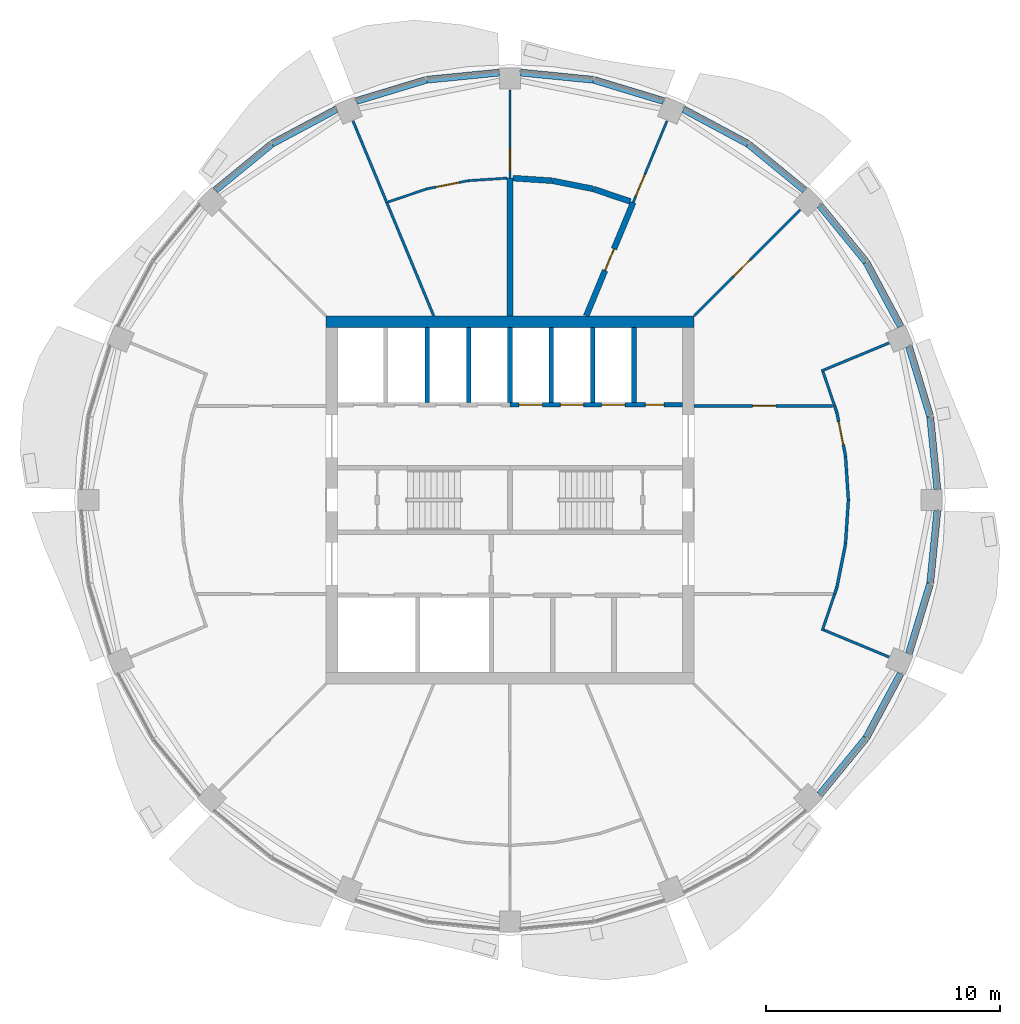
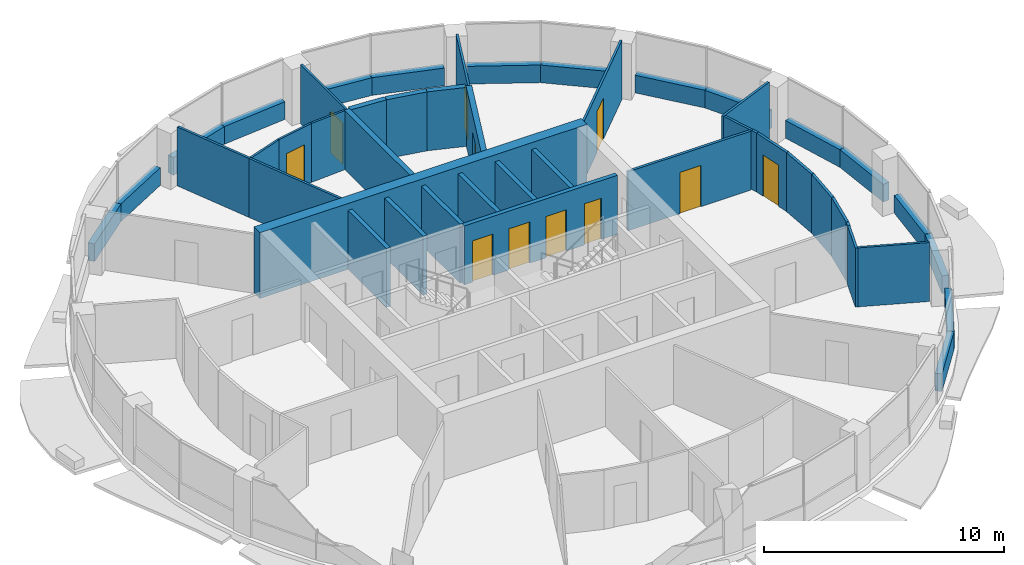
# One storey, part 10 of 15: 48 walls, 11 doors, 11 openings.
"""IFC4 building model written with IfcOpenShell, lengths in metres."""

import ifcopenshell
import ifcopenshell.guid

model = None  # the IFC model being written
_history = None  # IfcOwnerHistory: only IFC2X3 demands one
_inside = {}  # id of a spatial element -> (the spatial element, [elements in it])
_under = {}  # id of a project, library or spatial element -> (it, [spatial elements below it])
_declared = {}  # id of a project -> (the project, [libraries it declares])
_typed = {}  # id of a type object -> (the type object, [elements of that type])
_made_of = {}  # id of a material, layer set ... -> (it, [elements and type objects made of it])


def new_model(schema):
    """Start an empty IFC model of exactly this schema.

    Asked for "IFC4X3", IfcOpenShell would pick the latest addendum, in which some entities
    have other attributes; the version numbers below select the first issue.
    IFC2X3 requires an IfcOwnerHistory on every rooted entity: one is made here for all.
    """
    global model, _history
    if schema == "IFC4X3":
        model = ifcopenshell.file(schema_version=(4, 3, 0, 0))
    else:
        model = ifcopenshell.file(schema=schema)
    _inside.clear()
    _under.clear()
    _declared.clear()
    _typed.clear()
    _made_of.clear()
    _history = None
    if model.schema == "IFC2X3":
        org = make("IfcOrganization", Name="unknown")
        user = make(
            "IfcPersonAndOrganization",
            ThePerson=make("IfcPerson", FamilyName="unknown"),
            TheOrganization=org,
        )
        app = make(
            "IfcApplication",
            ApplicationDeveloper=org,
            Version="unknown",
            ApplicationFullName="unknown",
            ApplicationIdentifier="unknown",
        )
        _history = make(
            "IfcOwnerHistory",
            OwningUser=user,
            OwningApplication=app,
            ChangeAction="ADDED",
            CreationDate=0,
        )
    return model


def make(cls, **values):
    """One entity of the class cls with the attributes given. An attribute that is None is left unset."""
    return model.create_entity(
        cls, **{name: value for name, value in values.items() if value is not None}
    )


def rooted(cls, **values):
    """An entity with a GlobalId (a new one), such as an element, a storey or a relation."""
    return make(cls, GlobalId=ifcopenshell.guid.new(), OwnerHistory=_history, **values)


def si_unit(unit_type, name, prefix=None):
    """IfcSIUnit, for example si_unit("LENGTHUNIT", "METRE", prefix="MILLI")."""
    return make("IfcSIUnit", UnitType=unit_type, Prefix=prefix, Name=name)


def assignment(units):
    """IfcUnitAssignment: the units of a project."""
    return None if units is None else make("IfcUnitAssignment", Units=units)


def point(xyz):
    """IfcCartesianPoint."""
    return None if xyz is None else make("IfcCartesianPoint", Coordinates=xyz)


def direction(xyz):
    """IfcDirection."""
    return None if xyz is None else make("IfcDirection", DirectionRatios=xyz)


def frame(location, z_axis=None, x_axis=None):
    """IfcAxis2Placement3D, a coordinate frame: its origin and axes. An axis left out is left unset."""
    return make(
        "IfcAxis2Placement3D",
        Location=point(location),
        Axis=direction(z_axis),
        RefDirection=direction(x_axis),
    )


def frame_2d(location, x_axis=None):
    """IfcAxis2Placement2D, a coordinate frame in the plane: its origin and x axis."""
    return make(
        "IfcAxis2Placement2D", Location=point(location), RefDirection=direction(x_axis)
    )


def origin():
    """The frame at (0, 0, 0) with its axes left unset."""
    return frame((0.0, 0.0, 0.0))


def place(relative_to, where):
    """IfcLocalPlacement: puts the frame where relative to a parent placement (None: the world)."""
    return make(
        "IfcLocalPlacement", PlacementRelTo=relative_to, RelativePlacement=where
    )


def context(
    kind, dimensions, precision=None, world=None, true_north=None, identifier=None
):
    """IfcGeometricRepresentationContext, for example the 3D "Model" context."""
    return make(
        "IfcGeometricRepresentationContext",
        ContextIdentifier=identifier,
        ContextType=kind,
        CoordinateSpaceDimension=dimensions,
        Precision=precision,
        WorldCoordinateSystem=world,
        TrueNorth=true_north,
    )


def subcontext(parent, identifier, kind, view, scale=None):
    """IfcGeometricRepresentationSubContext, for example "Body" below "Model"."""
    return make(
        "IfcGeometricRepresentationSubContext",
        ContextIdentifier=identifier,
        ContextType=kind,
        ParentContext=parent,
        TargetScale=scale,
        TargetView=view,
    )


def project(units=None, contexts=None):
    """IfcProject with its units and contexts."""
    return rooted(
        "IfcProject",
        Name="project",
        RepresentationContexts=contexts,
        UnitsInContext=assignment(units),
    )


def spatial(cls, under=None, at=None, **own):
    """A site, building, storey or space (cls), placed at a placement, below another one or the project."""
    s = rooted(cls, ObjectPlacement=at, **own)
    if under is not None:
        _under.setdefault(under.id(), (under, []))[1].append(s)
    return s


def profile(cls, at=None, kind="AREA", **sizes):
    """A parametric profile (cls). Its sizes go by their IFC names, for example OverallWidth=200.0."""
    return make(cls, ProfileType=kind, Position=at, **sizes)


def rectangle(**sizes):
    """IfcRectangleProfileDef."""
    return profile("IfcRectangleProfileDef", **sizes)


def extrude(swept, where, along, depth):
    """IfcExtrudedAreaSolid: the profile swept, set in the frame where, extruded along a direction by depth."""
    return make(
        "IfcExtrudedAreaSolid",
        SweptArea=swept,
        Position=where,
        ExtrudedDirection=direction(along),
        Depth=depth,
    )


def shape(context_of_items, identifier, shape_type, items):
    """IfcShapeRepresentation: the items that make up one representation, for example the "Body"."""
    return make(
        "IfcShapeRepresentation",
        ContextOfItems=context_of_items,
        RepresentationIdentifier=identifier,
        RepresentationType=shape_type,
        Items=items,
    )


def material(Name=None, Category=None):
    """IfcMaterial."""
    return make("IfcMaterial", Name=Name, Category=Category)


def layer(
    of_material, thickness, ventilated=None, Name=None, Category=None, Priority=None
):
    """IfcMaterialLayer: one layer of a wall or slab, of a material (None: an air gap)."""
    return make(
        "IfcMaterialLayer",
        Material=of_material,
        LayerThickness=thickness,
        IsVentilated=ventilated,
        Name=Name,
        Category=Category,
        Priority=Priority,
    )


def layer_set(layers, Name=None):
    """IfcMaterialLayerSet."""
    return make("IfcMaterialLayerSet", MaterialLayers=layers, LayerSetName=Name)


def made_of(thing, what):
    """Note that an element or type object is made of a material, layer set ...; save() writes the relation."""
    if what is not None:
        _made_of.setdefault(what.id(), (what, []))[1].append(thing)
    return thing


def type_object(cls, material=None, **own):
    """A type object (cls), such as IfcWallType, which elements share."""
    return made_of(rooted(cls, **own), material)


def element(
    cls,
    number,
    at=None,
    inside=None,
    cuts=None,
    type_object=None,
    material=None,
    context=None,
    identifier="Body",
    shape_type=None,
    held_by="IfcProductDefinitionShape",
    body=None,
    shapes=None,
    **own,
):
    """One element of the class cls, such as IfcWall. Its Tag is "e" and its number.

    at: its placement. inside: the storey or other place that contains it. cuts: it is an
    opening in that element (IfcRelVoidsElement). A single representation is given by context,
    identifier, shape_type and body (its items); several are given by shapes. held_by: the class
    of the entity that holds the representations. save() writes the other relations.
    """
    e = rooted(cls, Tag="e%d" % number, ObjectPlacement=at, **own)
    if body is not None:
        shapes = [shape(context, identifier, shape_type, body)]
    if shapes is not None:
        e.Representation = make(held_by, Representations=shapes)
    if inside is not None:
        _inside.setdefault(inside.id(), (inside, []))[1].append(e)
    if cuts is not None:
        rooted(
            "IfcRelVoidsElement", RelatingBuildingElement=cuts, RelatedOpeningElement=e
        )
    if type_object is not None:
        _typed.setdefault(type_object.id(), (type_object, []))[1].append(e)
    return made_of(e, material)


def fill(opening, filler):
    """IfcRelFillsElement: the door or window that sits in an opening."""
    return rooted(
        "IfcRelFillsElement",
        RelatingOpeningElement=opening,
        RelatedBuildingElement=filler,
    )


def aggregate(whole, parts):
    """IfcRelAggregates: a whole, such as a stair, and the parts it consists of."""
    return rooted("IfcRelAggregates", RelatingObject=whole, RelatedObjects=parts)


def save(model, path):
    """Write the relations noted so far, then the file.

    IfcRelAggregates (storeys below a building ...), IfcRelContainedInSpatialStructure (elements
    in a storey), IfcRelDefinesByType, IfcRelAssociatesMaterial and IfcRelDeclares: one each for
    every whole, place, type object, material and project.
    """
    for whole, parts in _under.values():
        aggregate(whole, parts)
    for where, things in _inside.values():
        rooted(
            "IfcRelContainedInSpatialStructure",
            RelatedElements=things,
            RelatingStructure=where,
        )
    for kind, things in _typed.values():
        rooted("IfcRelDefinesByType", RelatedObjects=things, RelatingType=kind)
    for what, things in _made_of.values():
        rooted("IfcRelAssociatesMaterial", RelatedObjects=things, RelatingMaterial=what)
    for by, libraries in _declared.values():
        rooted("IfcRelDeclares", RelatingContext=by, RelatedDefinitions=libraries)
    model.write(path)


model = new_model("IFC4")

# Units and contexts
model_context = context("Model", 3, precision=1e-05, world=origin(), true_north=direction((0.0, 1.0)))
body_context = subcontext(model_context, "Body", "Model", "MODEL_VIEW")
ifc_project = project(units=[si_unit("LENGTHUNIT", "METRE"), si_unit("AREAUNIT", "SQUARE_METRE"), si_unit("VOLUMEUNIT", "CUBIC_METRE"), si_unit("PLANEANGLEUNIT", "RADIAN"), si_unit("MASSUNIT", "GRAM", prefix="KILO")], contexts=[model_context])

# Site, building, storey
site_placement = place(None, origin())
site = spatial("IfcSite", under=ifc_project, at=site_placement, CompositionType="ELEMENT")
building_placement = place(site_placement, origin())
building = spatial("IfcBuilding", under=site, at=building_placement, Name="Polderwave Tower", CompositionType="ELEMENT")
storey_placement = place(building_placement, frame((0.0, 0.0, 180.949951171875)))
storey = spatial("IfcBuildingStorey", under=building, at=storey_placement, Name="L48", CompositionType="ELEMENT", Elevation=180.949951171875)

# Walls
ifc_material_1 = material(Name="Concrete C60/75", Category="concrete")
ifc_layer_1 = layer(ifc_material_1, 0.5)
ifc_layer_set_1 = layer_set([ifc_layer_1], Name="CORE WALL 500 C60/75")
wall_type_1 = type_object("IfcWallType", Name="CORE WALL 500 C60/75", PredefinedType="SHEAR", material=ifc_layer_set_1)
wall_1_placement = place(storey_placement, frame((-7.8740234375, 7.6240234375, 0.0), z_axis=(0.0, 0.0, 1.0), x_axis=(1.0, 0.0, 0.0)))
element("IfcWall", 1, at=wall_1_placement, inside=storey, type_object=wall_type_1, Name="ST-CORE-L48-N", PredefinedType="SHEAR", context=body_context, shape_type="SweptSolid", body=[
    extrude(rectangle(XDim=15.748046875, YDim=0.5, at=frame_2d((7.8740234375, 0.0))), origin(), (0.0, 0.0, 1.0), 3.35009765625),
])
ifc_material_2 = material(Name="Concrete C50/60 (board-marked)", Category="concrete")
ifc_layer_2 = layer(ifc_material_2, 0.300048828125)
ifc_layer_set_2 = layer_set([ifc_layer_2], Name="Concrete spandrel upstand C50/60")
wall_type_2 = type_object("IfcWallType", Name="Concrete spandrel upstand C50/60", PredefinedType="SOLIDWALL", material=ifc_layer_set_2)
wall_2_placement = place(storey_placement, frame((18.2744140625, 0.4638671875, 0.0), z_axis=(0.0, 0.0, 1.0), x_axis=(-0.098042483483, 0.995182230264, 0.0)))
element("IfcWall", 2, at=wall_2_placement, inside=storey, type_object=wall_type_2, Name="Spandrel L48 1a", PredefinedType="SOLIDWALL", context=body_context, shape_type="SweptSolid", body=[
    extrude(rectangle(XDim=3.110107421875, YDim=0.300048828125, at=frame_2d((1.55517578125, 0.0))), origin(), (0.0, 0.0, 1.0), 0.900146484375),
])
for number, where, z_axis, x_axis, name in (
    (3, (17.963623046875, 3.58837890625, 0.0), (0.0, 0.0, 1.0), (-0.290421284339, 0.956898885778, 0.0), "Spandrel L48 1b"),
    (4, (16.705810546875, 7.422119140625, 0.0), (0.0, 0.0, 1.0), (-0.471598312985, 0.881813490025, 0.0), "Spandrel L48 2a"),
):
    element("IfcWall", number, at=place(storey_placement, frame(where, z_axis=z_axis, x_axis=x_axis)), inside=storey, type_object=wall_type_2, Name=name, PredefinedType="SOLIDWALL", context=body_context, shape_type="SweptSolid", body=[
        extrude(rectangle(XDim=3.1103515625, YDim=0.300048828125, at=frame_2d((1.55517578125, 0.0))), origin(), (0.0, 0.0, 1.0), 0.900146484375),
    ])
for number, where, z_axis, x_axis, name in (
    (5, (15.222412109375, 10.189697265625, 0.0), (0.0, 0.0, 1.0), (-0.634267296653, 0.773113831461, 0.0), "Spandrel L48 2b"),
    (6, (12.594482421875, 13.24951171875, 0.0), (0.0, 0.0, 1.0), (-0.773113831461, 0.634267296653, 0.0), "Spandrel L48 3a"),
):
    element("IfcWall", number, at=place(storey_placement, frame(where, z_axis=z_axis, x_axis=x_axis)), inside=storey, type_object=wall_type_2, Name=name, PredefinedType="SOLIDWALL", context=body_context, shape_type="SweptSolid", body=[
        extrude(rectangle(XDim=3.110595703125, YDim=0.300048828125, at=frame_2d((1.55517578125, 0.0))), origin(), (0.0, 0.0, 1.0), 0.900146484375),
    ])
for number, where, z_axis, x_axis, name in (
    (7, (10.164794921875, 15.239013671875, 0.0), (0.0, 0.0, 1.0), (-0.881813490025, 0.471598312985, 0.0), "Spandrel L48 3b"),
    (8, (6.564697265625, 17.060302734375, 0.0), (0.0, 0.0, 1.0), (-0.956898885778, 0.290421284339, 0.0), "Spandrel L48 4a"),
):
    element("IfcWall", number, at=place(storey_placement, frame(where, z_axis=z_axis, x_axis=x_axis)), inside=storey, type_object=wall_type_2, Name=name, PredefinedType="SOLIDWALL", context=body_context, shape_type="SweptSolid", body=[
        extrude(rectangle(XDim=3.1103515625, YDim=0.300048828125, at=frame_2d((1.55517578125, 0.0))), origin(), (0.0, 0.0, 1.0), 0.900146484375),
    ])
for number, where, z_axis, x_axis, name in (
    (9, (3.55908203125, 17.969482421875, 0.0), (0.0, 0.0, 1.0), (-0.995182230264, 0.098042483483, 0.0), "Spandrel L48 4b"),
    (10, (-0.4638671875, 18.2744140625, 0.0), (0.0, 0.0, 1.0), (-0.995182230264, -0.098042483483, 0.0), "Spandrel L48 5a"),
):
    element("IfcWall", number, at=place(storey_placement, frame(where, z_axis=z_axis, x_axis=x_axis)), inside=storey, type_object=wall_type_2, Name=name, PredefinedType="SOLIDWALL", context=body_context, shape_type="SweptSolid", body=[
        extrude(rectangle(XDim=3.110107421875, YDim=0.300048828125, at=frame_2d((1.55517578125, 0.0))), origin(), (0.0, 0.0, 1.0), 0.900146484375),
    ])
for number, where, z_axis, x_axis, name in (
    (11, (-3.58837890625, 17.963623046875, 0.0), (0.0, 0.0, 1.0), (-0.956898885778, -0.290421284339, 0.0), "Spandrel L48 5b"),
    (12, (-7.422119140625, 16.705810546875, 0.0), (0.0, 0.0, 1.0), (-0.881813490025, -0.471598312985, 0.0), "Spandrel L48 6a"),
):
    element("IfcWall", number, at=place(storey_placement, frame(where, z_axis=z_axis, x_axis=x_axis)), inside=storey, type_object=wall_type_2, Name=name, PredefinedType="SOLIDWALL", context=body_context, shape_type="SweptSolid", body=[
        extrude(rectangle(XDim=3.1103515625, YDim=0.300048828125, at=frame_2d((1.55517578125, 0.0))), origin(), (0.0, 0.0, 1.0), 0.900146484375),
    ])
for number, where, z_axis, x_axis, name in (
    (13, (-10.189697265625, 15.222412109375, 0.0), (0.0, 0.0, 1.0), (-0.773113831461, -0.634267296653, 0.0), "Spandrel L48 6b"),
    (14, (13.24951171875, -12.594482421875, 0.0), (0.0, 0.0, 1.0), (0.634267296653, 0.773113831461, 0.0), "Spandrel L48 15a"),
):
    element("IfcWall", number, at=place(storey_placement, frame(where, z_axis=z_axis, x_axis=x_axis)), inside=storey, type_object=wall_type_2, Name=name, PredefinedType="SOLIDWALL", context=body_context, shape_type="SweptSolid", body=[
        extrude(rectangle(XDim=3.110595703125, YDim=0.300048828125, at=frame_2d((1.55517578125, 0.0))), origin(), (0.0, 0.0, 1.0), 0.900146484375),
    ])
for number, where, z_axis, x_axis, name in (
    (15, (15.239013671875, -10.164794921875, 0.0), (0.0, 0.0, 1.0), (0.471598312985, 0.881813490025, 0.0), "Spandrel L48 15b"),
    (16, (17.060302734375, -6.564697265625, 0.0), (0.0, 0.0, 1.0), (0.290421284339, 0.956898885778, 0.0), "Spandrel L48 16a"),
):
    element("IfcWall", number, at=place(storey_placement, frame(where, z_axis=z_axis, x_axis=x_axis)), inside=storey, type_object=wall_type_2, Name=name, PredefinedType="SOLIDWALL", context=body_context, shape_type="SweptSolid", body=[
        extrude(rectangle(XDim=3.1103515625, YDim=0.300048828125, at=frame_2d((1.55517578125, 0.0))), origin(), (0.0, 0.0, 1.0), 0.900146484375),
    ])
wall_3_placement = place(storey_placement, frame((17.969482421875, -3.55908203125, 0.0), z_axis=(0.0, 0.0, 1.0), x_axis=(0.098042483483, 0.995182230264, 0.0)))
element("IfcWall", 17, at=wall_3_placement, inside=storey, type_object=wall_type_2, Name="Spandrel L48 16b", PredefinedType="SOLIDWALL", context=body_context, shape_type="SweptSolid", body=[
    extrude(rectangle(XDim=3.110107421875, YDim=0.300048828125, at=frame_2d((1.55517578125, 0.0))), origin(), (0.0, 0.0, 1.0), 0.900146484375),
])

# Wall, openings, doors
ifc_material_3 = material(Name="Concrete C50/60", Category="concrete")
ifc_layer_3 = layer(ifc_material_3, 0.199951171875)
ifc_layer_set_3 = layer_set([ifc_layer_3], Name="Core web wall 200")
wall_type_3 = type_object("IfcWallType", Name="Core web wall 200", PredefinedType="SHEAR", material=ifc_layer_set_3)
wall_4_placement = place(storey_placement, frame((0.0, 4.073974609375, 0.0), z_axis=(0.0, 0.0, 1.0), x_axis=(1.0, 0.0, 0.0)))
wall_4 = element("IfcWall", 18, at=wall_4_placement, inside=storey, type_object=wall_type_3, Name="L48 north front wall 2", PredefinedType="SHEAR", context=body_context, shape_type="SweptSolid", body=[
    extrude(rectangle(XDim=7.3740234375, YDim=0.199951171875, at=frame_2d((3.68701171875, 0.0))), origin(), (0.0, 0.0, 1.0), 3.0),
])
opening_1_placement = place(wall_4_placement, frame((0.38427734375, 0.0, 0.0)))
opening_1 = element("IfcOpeningElement", 19, at=opening_1_placement, cuts=wall_4, Name="Opening L48-D07", PredefinedType="OPENING", context=body_context, shape_type="SweptSolid", body=[
    extrude(rectangle(XDim=1.0, YDim=2.10009765625, at=frame_2d((0.5, 1.050048828125))), frame((0.0, 0.10986328125, 0.0), z_axis=(0.0, -1.0, 0.0), x_axis=(1.0, 0.0, 0.0)), (0.0, 0.0, 1.0), 0.219970703125),
])
opening_2_placement = place(wall_4_placement, frame((2.15283203125, 0.0, 0.0)))
opening_2 = element("IfcOpeningElement", 20, at=opening_2_placement, cuts=wall_4, Name="Opening L48-D08", PredefinedType="OPENING", context=body_context, shape_type="SweptSolid", body=[
    extrude(rectangle(XDim=1.0, YDim=2.10009765625, at=frame_2d((0.5, 1.050048828125))), frame((0.0, 0.10986328125, 0.0), z_axis=(0.0, -1.0, 0.0), x_axis=(1.0, 0.0, 0.0)), (0.0, 0.0, 1.0), 0.219970703125),
])
opening_3_placement = place(wall_4_placement, frame((3.921142578125, 0.0, 0.0)))
opening_3 = element("IfcOpeningElement", 21, at=opening_3_placement, cuts=wall_4, Name="Opening L48-D09", PredefinedType="OPENING", context=body_context, shape_type="SweptSolid", body=[
    extrude(rectangle(XDim=1.0, YDim=2.10009765625, at=frame_2d((0.5, 1.050048828125))), frame((0.0, 0.10986328125, 0.0), z_axis=(0.0, -1.0, 0.0), x_axis=(1.0, 0.0, 0.0)), (0.0, 0.0, 1.0), 0.219970703125),
])
opening_4_placement = place(wall_4_placement, frame((5.789794921875, 0.0, 0.0)))
opening_4 = element("IfcOpeningElement", 22, at=opening_4_placement, cuts=wall_4, Name="Opening L48-D18", PredefinedType="OPENING", context=body_context, shape_type="SweptSolid", body=[
    extrude(rectangle(XDim=0.800048828125, YDim=2.10009765625, at=frame_2d((0.39990234375, 1.050048828125))), frame((0.0, 0.10986328125, 0.0), z_axis=(0.0, -1.0, 0.0), x_axis=(1.0, 0.0, 0.0)), (0.0, 0.0, 1.0), 0.219970703125),
])
ifc_material_4 = material(Name="Stainless steel", Category="steel")
door_type_1 = type_object("IfcDoorType", Name="Lift landing door 1000", OperationType="DOUBLE_DOOR_SLIDING", PredefinedType="DOOR", material=ifc_material_4)
door_1_placement = place(opening_1_placement, frame((1.0, 0.0, 0.0), z_axis=(0.0, 0.0, 1.0), x_axis=(-1.0, 0.0, 0.0)))
door_1 = element("IfcDoor", 23, at=door_1_placement, inside=storey, type_object=door_type_1, Name="Lift HL5 landing door", OperationType="DOUBLE_DOOR_SLIDING", OverallHeight=2.10009765625, OverallWidth=1.0, PredefinedType="DOOR", context=body_context, shape_type="SweptSolid", body=[
    extrude(rectangle(XDim=1.0, YDim=2.10009765625, at=frame_2d((0.5, 1.050048828125))), frame((0.0, 0.02490234375, 0.0), z_axis=(0.0, -1.0, 0.0), x_axis=(1.0, 0.0, 0.0)), (0.0, 0.0, 1.0), 0.050048828125),
])
fill(opening_1, door_1)
door_2_placement = place(opening_2_placement, frame((1.0, 0.0, 0.0), z_axis=(0.0, 0.0, 1.0), x_axis=(-1.0, 0.0, 0.0)))
door_2 = element("IfcDoor", 24, at=door_2_placement, inside=storey, type_object=door_type_1, Name="Lift HL6 landing door", OperationType="DOUBLE_DOOR_SLIDING", OverallHeight=2.10009765625, OverallWidth=1.0, PredefinedType="DOOR", context=body_context, shape_type="SweptSolid", body=[
    extrude(rectangle(XDim=1.0, YDim=2.10009765625, at=frame_2d((0.5, 1.050048828125))), frame((0.0, 0.02490234375, 0.0), z_axis=(0.0, -1.0, 0.0), x_axis=(1.0, 0.0, 0.0)), (0.0, 0.0, 1.0), 0.050048828125),
])
fill(opening_2, door_2)
door_3_placement = place(opening_3_placement, frame((1.0, 0.0, 0.0), z_axis=(0.0, 0.0, 1.0), x_axis=(-1.0, 0.0, 0.0)))
door_3 = element("IfcDoor", 25, at=door_3_placement, inside=storey, type_object=door_type_1, Name="Lift HL7 landing door", OperationType="DOUBLE_DOOR_SLIDING", OverallHeight=2.10009765625, OverallWidth=1.0, PredefinedType="DOOR", context=body_context, shape_type="SweptSolid", body=[
    extrude(rectangle(XDim=1.0, YDim=2.10009765625, at=frame_2d((0.5, 1.050048828125))), frame((0.0, 0.02490234375, 0.0), z_axis=(0.0, -1.0, 0.0), x_axis=(1.0, 0.0, 0.0)), (0.0, 0.0, 1.0), 0.050048828125),
])
fill(opening_3, door_3)
ifc_material_5 = material(Name="Steel fire door", Category="steel")
door_type_2 = type_object("IfcDoorType", Name="Riser door 800", OperationType="NOTDEFINED", PredefinedType="DOOR", material=ifc_material_5)
door_4_placement = place(opening_4_placement, frame((0.800048828125, 0.0, 0.0), z_axis=(0.0, 0.0, 1.0), x_axis=(-1.0, 0.0, 0.0)))
door_4 = element("IfcDoor", 26, at=door_4_placement, inside=storey, type_object=door_type_2, Name="Riser door", OperationType="SINGLE_SWING_LEFT", OverallHeight=2.10009765625, OverallWidth=0.800048828125, PredefinedType="DOOR", context=body_context, shape_type="SweptSolid", body=[
    extrude(rectangle(XDim=0.800048828125, YDim=2.10009765625, at=frame_2d((0.39990234375, 1.050048828125))), frame((0.0, 0.02490234375, 0.0), z_axis=(0.0, -1.0, 0.0), x_axis=(1.0, 0.0, 0.0)), (0.0, 0.0, 1.0), 0.050048828125),
])
fill(opening_4, door_4)

# Walls
ifc_material_6 = material(Name="Fire-resisting board on steel studs", Category="steel")
ifc_layer_4 = layer(ifc_material_6, 0.125)
ifc_layer_set_4 = layer_set([ifc_layer_4], Name="Corridor wall 125 mm EI 60")
wall_type_4 = type_object("IfcWallType", Name="Corridor wall 125 mm EI 60", PredefinedType="PARTITIONING", material=ifc_layer_set_4)
for number, where, z_axis, x_axis, name in (
    (27, (13.882080078125, 4.0244140625, 0.0), (0.0, 0.0, 1.0), (0.321511421405, -0.946905700641, 0.0), "IN-L48-W001"),
    (28, (13.9755859375, -3.7490234375, 0.0), (0.0, 0.0, 1.0), (-0.321511421405, -0.946905700641, 0.0), "IN-L48-W002"),
):
    element("IfcWall", number, at=place(storey_placement, frame(where, z_axis=z_axis, x_axis=x_axis)), inside=storey, type_object=wall_type_4, Name=name, PredefinedType="PARTITIONING", context=body_context, shape_type="SweptSolid", body=[
        extrude(rectangle(XDim=0.290771484375, YDim=0.125, at=frame_2d((0.1455078125, 0.0))), origin(), (0.0, 0.0, 1.0), 3.0),
    ])

# Wall, opening, door
wall_5_placement = place(storey_placement, frame((13.977783203125, 3.7412109375, 0.0), z_axis=(0.0, 0.0, 1.0), x_axis=(0.195069832264, -0.980789355846, 0.0)))
wall_5 = element("IfcWall", 29, at=wall_5_placement, inside=storey, type_object=wall_type_4, Name="IN-L48-W003", PredefinedType="PARTITIONING", context=body_context, shape_type="SweptSolid", body=[
    extrude(rectangle(XDim=1.884765625, YDim=0.125, at=frame_2d((0.9423828125, 0.0))), origin(), (0.0, 0.0, 1.0), 3.0),
])
opening_5_placement = place(wall_5_placement, frame((0.39990234375, 0.0, 0.0)))
opening_5 = element("IfcOpeningElement", 30, at=opening_5_placement, cuts=wall_5, Name="Opening L48-D50", PredefinedType="OPENING", context=body_context, shape_type="SweptSolid", body=[
    extrude(rectangle(XDim=1.0, YDim=2.10009765625, at=frame_2d((0.5, 1.050048828125))), frame((0.0, 0.072509765625, 0.0), z_axis=(0.0, -1.0, 0.0), x_axis=(1.0, 0.0, 0.0)), (0.0, 0.0, 1.0), 0.14501953125),
])
ifc_material_7 = material(Name="Timber fire door leaf", Category="wood")
door_type_3 = type_object("IfcDoorType", Name="Fire door FD30S 1000 x 2100", OperationType="NOTDEFINED", PredefinedType="DOOR", material=ifc_material_7)
door_5_placement = place(opening_5_placement, origin())
door_5 = element("IfcDoor", 31, at=door_5_placement, inside=storey, type_object=door_type_3, Name="Door L48-D50", OperationType="SINGLE_SWING_LEFT", OverallHeight=2.10009765625, OverallWidth=1.0, PredefinedType="DOOR", context=body_context, shape_type="SweptSolid", body=[
    extrude(rectangle(XDim=1.0, YDim=2.10009765625, at=frame_2d((0.5, 1.050048828125))), frame((0.0, 0.02490234375, 0.0), z_axis=(0.0, -1.0, 0.0), x_axis=(1.0, 0.0, 0.0)), (0.0, 0.0, 1.0), 0.050048828125),
])
fill(opening_5, door_5)

# Walls
wall_6_placement = place(storey_placement, frame((14.345458984375, -1.892578125, 0.0), z_axis=(0.0, 0.0, 1.0), x_axis=(-0.195069832264, -0.980789355846, 0.0)))
element("IfcWall", 32, at=wall_6_placement, inside=storey, type_object=wall_type_4, Name="IN-L48-W004", PredefinedType="PARTITIONING", context=body_context, shape_type="SweptSolid", body=[
    extrude(rectangle(XDim=1.884765625, YDim=0.125, at=frame_2d((0.9423828125, 0.0))), origin(), (0.0, 0.0, 1.0), 3.0),
])
for number, where, z_axis, x_axis, name in (
    (33, (14.346435546875, 1.884521484375, 0.0), (0.0, 0.0, 1.0), (0.065426898124, -0.997857365059, 0.0), "IN-L48-W005"),
    (34, (14.4697265625, -0.004150390625, 0.0), (0.0, 0.0, 1.0), (-0.065426898124, -0.997857365059, 0.0), "IN-L48-W006"),
):
    element("IfcWall", number, at=place(storey_placement, frame(where, z_axis=z_axis, x_axis=x_axis)), inside=storey, type_object=wall_type_4, Name=name, PredefinedType="PARTITIONING", context=body_context, shape_type="SweptSolid", body=[
        extrude(rectangle(XDim=1.884521484375, YDim=0.125, at=frame_2d((0.9423828125, 0.0))), origin(), (0.0, 0.0, 1.0), 3.0),
    ])

# Wall, opening, door
wall_7_placement = place(storey_placement, frame((7.8740234375, 4.0244140625, 0.0), z_axis=(0.0, 0.0, 1.0), x_axis=(1.0, 0.0, 0.0)))
wall_7 = element("IfcWall", 35, at=wall_7_placement, inside=storey, type_object=wall_type_4, Name="IN-L48-W007", PredefinedType="PARTITIONING", context=body_context, shape_type="SweptSolid", body=[
    extrude(rectangle(XDim=5.9208984375, YDim=0.125, at=frame_2d((2.96044921875, 0.0))), origin(), (0.0, 0.0, 1.0), 3.0),
])
opening_6_placement = place(wall_7_placement, frame((2.5, 0.0, 0.0)))
opening_6 = element("IfcOpeningElement", 36, at=opening_6_placement, cuts=wall_7, Name="Opening L48-D51", PredefinedType="OPENING", context=body_context, shape_type="SweptSolid", body=[
    extrude(rectangle(XDim=1.0, YDim=2.10009765625, at=frame_2d((0.5, 1.050048828125))), frame((0.0, 0.072509765625, 0.0), z_axis=(0.0, -1.0, 0.0), x_axis=(1.0, 0.0, 0.0)), (0.0, 0.0, 1.0), 0.14501953125),
])
door_6_placement = place(opening_6_placement, origin())
door_6 = element("IfcDoor", 37, at=door_6_placement, inside=storey, type_object=door_type_3, Name="Door L48-D51", OperationType="SINGLE_SWING_RIGHT", OverallHeight=2.10009765625, OverallWidth=1.0, PredefinedType="DOOR", context=body_context, shape_type="SweptSolid", body=[
    extrude(rectangle(XDim=1.0, YDim=2.10009765625, at=frame_2d((0.5, 1.050048828125))), frame((0.0, 0.02490234375, 0.0), z_axis=(0.0, -1.0, 0.0), x_axis=(1.0, 0.0, 0.0)), (0.0, 0.0, 1.0), 0.050048828125),
])
fill(opening_6, door_6)

ifc_material_8 = material(Name="Plasterboard on steel studs", Category="steel")
ifc_layer_5 = layer(ifc_material_8, 0.10009765625)
ifc_layer_set_5 = layer_set([ifc_layer_5], Name="Partition 100 mm plasterboard on steel studs")
wall_type_5 = type_object("IfcWallType", Name="Partition 100 mm plasterboard on steel studs", PredefinedType="PARTITIONING", material=ifc_layer_set_5)
wall_8_placement = place(storey_placement, frame((7.8740234375, 7.8740234375, 0.0), z_axis=(0.0, 0.0, 1.0), x_axis=(0.707106781187, 0.707106781187, 0.0)))
wall_8 = element("IfcWall", 38, at=wall_8_placement, inside=storey, type_object=wall_type_5, Name="IN-L48-W021", PredefinedType="PARTITIONING", context=body_context, shape_type="SweptSolid", body=[
    extrude(rectangle(XDim=6.404296875, YDim=0.10009765625, at=frame_2d((3.2021484375, 0.0))), origin(), (0.0, 0.0, 1.0), 3.0),
])
opening_7_placement = place(wall_8_placement, frame((2.39990234375, 0.0, 0.0)))
opening_7 = element("IfcOpeningElement", 39, at=opening_7_placement, cuts=wall_8, Name="Opening L48-D56", PredefinedType="OPENING", context=body_context, shape_type="SweptSolid", body=[
    extrude(rectangle(XDim=1.0, YDim=2.10009765625, at=frame_2d((0.5, 1.050048828125))), frame((0.0, 0.06005859375, 0.0), z_axis=(0.0, -1.0, 0.0), x_axis=(1.0, 0.0, 0.0)), (0.0, 0.0, 1.0), 0.1201171875),
])
ifc_material_9 = material(Name="Timber veneer door leaf", Category="wood")
door_type_4 = type_object("IfcDoorType", Name="Single door 1000 x 2100", OperationType="NOTDEFINED", PredefinedType="DOOR", material=ifc_material_9)
door_7_placement = place(opening_7_placement, origin())
door_7 = element("IfcDoor", 40, at=door_7_placement, inside=storey, type_object=door_type_4, Name="Door L48-D56", OperationType="SINGLE_SWING_LEFT", OverallHeight=2.10009765625, OverallWidth=1.0, PredefinedType="DOOR", context=body_context, shape_type="SweptSolid", body=[
    extrude(rectangle(XDim=1.0, YDim=2.10009765625, at=frame_2d((0.5, 1.050048828125))), frame((0.0, 0.02490234375, 0.0), z_axis=(0.0, -1.0, 0.0), x_axis=(1.0, 0.0, 0.0)), (0.0, 0.0, 1.0), 0.050048828125),
])
fill(opening_7, door_7)

wall_9_placement = place(storey_placement, frame((5.26953125, 12.7216796875, 0.0), z_axis=(0.0, 0.0, 1.0), x_axis=(0.382706376162, 0.923870028546, 0.0)))
wall_9 = element("IfcWall", 41, at=wall_9_placement, inside=storey, type_object=wall_type_5, Name="IN-L48-W023", PredefinedType="PARTITIONING", context=body_context, shape_type="SweptSolid", body=[
    extrude(rectangle(XDim=3.770263671875, YDim=0.10009765625, at=frame_2d((1.88525390625, 0.0))), origin(), (0.0, 0.0, 1.0), 3.0),
])
opening_8_placement = place(wall_9_placement, frame((0.300048828125, 0.0, 0.0)))
opening_8 = element("IfcOpeningElement", 42, at=opening_8_placement, cuts=wall_9, Name="Opening L48-D58", PredefinedType="OPENING", context=body_context, shape_type="SweptSolid", body=[
    extrude(rectangle(XDim=1.0, YDim=2.10009765625, at=frame_2d((0.5, 1.050048828125))), frame((0.0, 0.06005859375, 0.0), z_axis=(0.0, -1.0, 0.0), x_axis=(1.0, 0.0, 0.0)), (0.0, 0.0, 1.0), 0.1201171875),
])
door_8_placement = place(opening_8_placement, origin())
door_8 = element("IfcDoor", 43, at=door_8_placement, inside=storey, type_object=door_type_4, Name="Door L48-D58", OperationType="SINGLE_SWING_LEFT", OverallHeight=2.10009765625, OverallWidth=1.0, PredefinedType="DOOR", context=body_context, shape_type="SweptSolid", body=[
    extrude(rectangle(XDim=1.0, YDim=2.10009765625, at=frame_2d((0.5, 1.050048828125))), frame((0.0, 0.02490234375, 0.0), z_axis=(0.0, -1.0, 0.0), x_axis=(1.0, 0.0, 0.0)), (0.0, 0.0, 1.0), 0.050048828125),
])
fill(opening_8, door_8)

wall_10_placement = place(storey_placement, frame((0.0, 13.77001953125, 0.0), z_axis=(0.0, 0.0, 1.0), x_axis=(0.0, 1.0, 0.0)))
wall_10 = element("IfcWall", 44, at=wall_10_placement, inside=storey, type_object=wall_type_5, Name="IN-L48-W028", PredefinedType="PARTITIONING", context=body_context, shape_type="SweptSolid", body=[
    extrude(rectangle(XDim=3.77001953125, YDim=0.10009765625, at=frame_2d((1.885009765625, 0.0))), origin(), (0.0, 0.0, 1.0), 3.0),
])
opening_9_placement = place(wall_10_placement, frame((0.300048828125, 0.0, 0.0)))
opening_9 = element("IfcOpeningElement", 45, at=opening_9_placement, cuts=wall_10, Name="Opening L48-D59", PredefinedType="OPENING", context=body_context, shape_type="SweptSolid", body=[
    extrude(rectangle(XDim=1.0, YDim=2.10009765625, at=frame_2d((0.5, 1.050048828125))), frame((0.0, 0.06005859375, 0.0), z_axis=(0.0, -1.0, 0.0), x_axis=(1.0, 0.0, 0.0)), (0.0, 0.0, 1.0), 0.1201171875),
])
door_9_placement = place(opening_9_placement, origin())
door_9 = element("IfcDoor", 46, at=door_9_placement, inside=storey, type_object=door_type_4, Name="Door L48-D59", OperationType="SINGLE_SWING_LEFT", OverallHeight=2.10009765625, OverallWidth=1.0, PredefinedType="DOOR", context=body_context, shape_type="SweptSolid", body=[
    extrude(rectangle(XDim=1.0, YDim=2.10009765625, at=frame_2d((0.5, 1.050048828125))), frame((0.0, 0.02490234375, 0.0), z_axis=(0.0, -1.0, 0.0), x_axis=(1.0, 0.0, 0.0)), (0.0, 0.0, 1.0), 0.050048828125),
])
fill(opening_9, door_9)

# Wall
wall_11_placement = place(storey_placement, frame((-5.214111328125, 12.740478515625, 0.0), z_axis=(0.0, 0.0, 1.0), x_axis=(0.946900132427, 0.321527820274, 0.0)))
element("IfcWall", 47, at=wall_11_placement, inside=storey, type_object=wall_type_5, Name="IN-L48-W029", PredefinedType="PARTITIONING", context=body_context, shape_type="SweptSolid", body=[
    extrude(rectangle(XDim=1.739501953125, YDim=0.10009765625, at=frame_2d((0.86962890625, 0.0))), origin(), (0.0, 0.0, 1.0), 3.0),
])

# Wall, opening, door
wall_12_placement = place(storey_placement, frame((-1.800537109375, 13.651611328125, 0.0), z_axis=(0.0, 0.0, 1.0), x_axis=(-0.980789397091, -0.195069624886, 0.0)))
wall_12 = element("IfcWall", 48, at=wall_12_placement, inside=storey, type_object=wall_type_5, Name="IN-L48-W030", PredefinedType="PARTITIONING", context=body_context, shape_type="SweptSolid", body=[
    extrude(rectangle(XDim=1.794677734375, YDim=0.10009765625, at=frame_2d((0.8974609375, 0.0))), origin(), (0.0, 0.0, 1.0), 3.0),
])
opening_10_placement = place(wall_12_placement, frame((0.39990234375, 0.0, 0.0)))
opening_10 = element("IfcOpeningElement", 49, at=opening_10_placement, cuts=wall_12, Name="Opening L48-D60", PredefinedType="OPENING", context=body_context, shape_type="SweptSolid", body=[
    extrude(rectangle(XDim=1.0, YDim=2.10009765625, at=frame_2d((0.5, 1.050048828125))), frame((0.0, 0.06005859375, 0.0), z_axis=(0.0, -1.0, 0.0), x_axis=(1.0, 0.0, 0.0)), (0.0, 0.0, 1.0), 0.1201171875),
])
door_10_placement = place(opening_10_placement, origin())
door_10 = element("IfcDoor", 50, at=door_10_placement, inside=storey, type_object=door_type_4, Name="Door L48-D60", OperationType="SINGLE_SWING_RIGHT", OverallHeight=2.10009765625, OverallWidth=1.0, PredefinedType="DOOR", context=body_context, shape_type="SweptSolid", body=[
    extrude(rectangle(XDim=1.0, YDim=2.10009765625, at=frame_2d((0.5, 1.050048828125))), frame((0.0, 0.02490234375, 0.0), z_axis=(0.0, -1.0, 0.0), x_axis=(1.0, 0.0, 0.0)), (0.0, 0.0, 1.0), 0.050048828125),
])
fill(opening_10, door_10)

# Walls
wall_13_placement = place(storey_placement, frame((-1.7939453125, 13.65234375, 0.0), z_axis=(0.0, 0.0, 1.0), x_axis=(0.997850681937, 0.065528746043, 0.0)))
element("IfcWall", 51, at=wall_13_placement, inside=storey, type_object=wall_type_5, Name="IN-L48-W031", PredefinedType="PARTITIONING", context=body_context, shape_type="SweptSolid", body=[
    extrude(rectangle(XDim=1.669189453125, YDim=0.10009765625, at=frame_2d((0.83447265625, 0.0))), origin(), (0.0, 0.0, 1.0), 3.0),
])
ifc_material_10 = material(Name="Acoustic double plasterboard on steel studs", Category="steel")
ifc_layer_6 = layer(ifc_material_10, 0.110107421875)
ifc_layer_set_6 = layer_set([ifc_layer_6], Name="Partition 110 mm acoustic double board")
wall_type_6 = type_object("IfcWallType", Name="Partition 110 mm acoustic double board", PredefinedType="PARTITIONING", material=ifc_layer_set_6)
wall_14_placement = place(storey_placement, frame((13.317626953125, 5.516357421875, 0.0), z_axis=(0.0, 0.0, 1.0), x_axis=(0.923865434252, 0.382717466802, 0.0)))
element("IfcWall", 52, at=wall_14_placement, inside=storey, type_object=wall_type_6, Name="IN-L48-W017", PredefinedType="PARTITIONING", context=body_context, shape_type="SweptSolid", body=[
    extrude(rectangle(XDim=3.125244140625, YDim=0.110107421875, at=frame_2d((1.5625, 0.0))), origin(), (0.0, 0.0, 1.0), 3.0),
])
wall_15_placement = place(storey_placement, frame((13.882080078125, 4.0244140625, 0.0), z_axis=(0.0, 0.0, 1.0), x_axis=(-0.321410663338, 0.946939905956, 0.0)))
element("IfcWall", 53, at=wall_15_placement, inside=storey, type_object=wall_type_6, Name="IN-L48-W018", PredefinedType="PARTITIONING", context=body_context, shape_type="SweptSolid", body=[
    extrude(rectangle(XDim=1.538818359375, YDim=0.110107421875, at=frame_2d((0.76953125, 0.0))), origin(), (0.0, 0.0, 1.0), 3.0),
])
wall_16_placement = place(storey_placement, frame((13.350830078125, -5.589599609375, 0.0), z_axis=(0.0, 0.0, 1.0), x_axis=(0.321407512479, 0.946940975416, 0.0)))
element("IfcWall", 54, at=wall_16_placement, inside=storey, type_object=wall_type_6, Name="IN-L48-W019", PredefinedType="PARTITIONING", context=body_context, shape_type="SweptSolid", body=[
    extrude(rectangle(XDim=1.65283203125, YDim=0.110107421875, at=frame_2d((0.826416015625, 0.0))), origin(), (0.0, 0.0, 1.0), 3.0),
])
wall_17_placement = place(storey_placement, frame((16.204833984375, -6.71240234375, 0.0), z_axis=(0.0, 0.0, 1.0), x_axis=(-0.923849820371, 0.382755155943, 0.0)))
element("IfcWall", 55, at=wall_17_placement, inside=storey, type_object=wall_type_6, Name="IN-L48-W020", PredefinedType="PARTITIONING", context=body_context, shape_type="SweptSolid", body=[
    extrude(rectangle(XDim=3.01123046875, YDim=0.110107421875, at=frame_2d((1.505615234375, 0.0))), origin(), (0.0, 0.0, 1.0), 3.0),
])
wall_18_placement = place(storey_placement, frame((-3.261474609375, 7.8740234375, 0.0), z_axis=(0.0, 0.0, 1.0), x_axis=(-0.382698345407, 0.923873355186, 0.0)))
element("IfcWall", 56, at=wall_18_placement, inside=storey, type_object=wall_type_6, Name="IN-L48-W032", PredefinedType="PARTITIONING", context=body_context, shape_type="SweptSolid", body=[
    extrude(rectangle(XDim=5.2470703125, YDim=0.110107421875, at=frame_2d((2.62353515625, 0.0))), origin(), (0.0, 0.0, 1.0), 3.0),
])
wall_19_placement = place(storey_placement, frame((-5.26953125, 12.7216796875, 0.0), z_axis=(0.0, 0.0, 1.0), x_axis=(-0.382706376162, 0.923870028546, 0.0)))
element("IfcWall", 57, at=wall_19_placement, inside=storey, type_object=wall_type_6, Name="IN-L48-W033", PredefinedType="PARTITIONING", context=body_context, shape_type="SweptSolid", body=[
    extrude(rectangle(XDim=3.770263671875, YDim=0.110107421875, at=frame_2d((1.88525390625, 0.0))), origin(), (0.0, 0.0, 1.0), 3.0),
])

# Wall, opening, door
ifc_material_11 = material(Name="Fire-resisting board on steel studs, mineral wool", Category="steel")
ifc_layer_7 = layer(ifc_material_11, 0.25)
ifc_layer_set_7 = layer_set([ifc_layer_7], Name="Plant room wall 250 mm EI 120")
wall_type_7 = type_object("IfcWallType", Name="Plant room wall 250 mm EI 120", PredefinedType="PARTITIONING", material=ifc_layer_set_7)
wall_20_placement = place(storey_placement, frame((3.261474609375, 7.8740234375, 0.0), z_axis=(0.0, 0.0, 1.0), x_axis=(0.382698345407, 0.923873355186, 0.0)))
wall_20 = element("IfcWall", 58, at=wall_20_placement, inside=storey, type_object=wall_type_7, Name="IN-L48-W022", PredefinedType="PARTITIONING", context=body_context, shape_type="SweptSolid", body=[
    extrude(rectangle(XDim=5.2470703125, YDim=0.25, at=frame_2d((2.62353515625, 0.0))), origin(), (0.0, 0.0, 1.0), 3.0),
])
opening_11_placement = place(wall_20_placement, frame((2.10009765625, 0.0, 0.0)))
opening_11 = element("IfcOpeningElement", 59, at=opening_11_placement, cuts=wall_20, Name="Opening L48-D57", PredefinedType="OPENING", context=body_context, shape_type="SweptSolid", body=[
    extrude(rectangle(XDim=1.0, YDim=2.10009765625, at=frame_2d((0.5, 1.050048828125))), frame((0.0, 0.135009765625, 0.0), z_axis=(0.0, -1.0, 0.0), x_axis=(1.0, 0.0, 0.0)), (0.0, 0.0, 1.0), 0.27001953125),
])
ifc_material_12 = material(Name="Steel plant door leaf", Category="steel")
door_type_5 = type_object("IfcDoorType", Name="Plant door FD60 1000 x 2100 steel", OperationType="NOTDEFINED", PredefinedType="DOOR", material=ifc_material_12)
door_11_placement = place(opening_11_placement, origin())
door_11 = element("IfcDoor", 60, at=door_11_placement, inside=storey, type_object=door_type_5, Name="Door L48-D57", OperationType="SINGLE_SWING_LEFT", OverallHeight=2.10009765625, OverallWidth=1.0, PredefinedType="DOOR", context=body_context, shape_type="SweptSolid", body=[
    extrude(rectangle(XDim=1.0, YDim=2.10009765625, at=frame_2d((0.5, 1.050048828125))), frame((0.0, 0.02490234375, 0.0), z_axis=(0.0, -1.0, 0.0), x_axis=(1.0, 0.0, 0.0)), (0.0, 0.0, 1.0), 0.050048828125),
])
fill(opening_11, door_11)

# Walls
wall_21_placement = place(storey_placement, frame((0.13330078125, 13.76123046875, 0.0), z_axis=(0.0, 0.0, 1.0), x_axis=(0.997854270927, -0.065474071153, 0.0)))
element("IfcWall", 61, at=wall_21_placement, inside=storey, type_object=wall_type_7, Name="IN-L48-W024", PredefinedType="PARTITIONING", context=body_context, shape_type="SweptSolid", body=[
    extrude(rectangle(XDim=1.659423828125, YDim=0.25, at=frame_2d((0.82958984375, 0.0))), origin(), (0.0, 0.0, 1.0), 3.0),
])
wall_22_placement = place(storey_placement, frame((1.805419921875, 13.650634765625, 0.0), z_axis=(0.0, 0.0, 1.0), x_axis=(0.980790558622, -0.195063784741, 0.0)))
element("IfcWall", 62, at=wall_22_placement, inside=storey, type_object=wall_type_7, Name="IN-L48-W025", PredefinedType="PARTITIONING", context=body_context, shape_type="SweptSolid", body=[
    extrude(rectangle(XDim=1.78466796875, YDim=0.25, at=frame_2d((0.892333984375, 0.0))), origin(), (0.0, 0.0, 1.0), 3.0),
])
wall_23_placement = place(storey_placement, frame((3.57177734375, 13.298095703125, 0.0), z_axis=(0.0, 0.0, 1.0), x_axis=(0.946917930367, -0.321475400536, 0.0)))
element("IfcWall", 63, at=wall_23_placement, inside=storey, type_object=wall_type_7, Name="IN-L48-W026", PredefinedType="PARTITIONING", context=body_context, shape_type="SweptSolid", body=[
    extrude(rectangle(XDim=1.659423828125, YDim=0.25, at=frame_2d((0.82958984375, 0.0))), origin(), (0.0, 0.0, 1.0), 3.0),
])
wall_24_placement = place(storey_placement, frame((0.0, 7.8740234375, 0.0), z_axis=(0.0, 0.0, 1.0), x_axis=(0.0, 1.0, 0.0)))
element("IfcWall", 64, at=wall_24_placement, inside=storey, type_object=wall_type_7, Name="IN-L48-W027", PredefinedType="PARTITIONING", context=body_context, shape_type="SweptSolid", body=[
    extrude(rectangle(XDim=5.89599609375, YDim=0.25, at=frame_2d((2.947998046875, 0.0))), origin(), (0.0, 0.0, 1.0), 3.0),
])
ifc_material_13 = material(Name="Gypsum shaft wall system")
ifc_layer_8 = layer(ifc_material_13, 0.199951171875)
ifc_layer_set_8 = layer_set([ifc_layer_8], Name="Shaft wall 200")
wall_type_8 = type_object("IfcWallType", Name="Shaft wall 200", PredefinedType="PARTITIONING", material=ifc_layer_set_8)
for number, where, z_axis, x_axis, name in (
    (65, (-3.537109375, 4.174072265625, 0.0), (0.0, 0.0, 1.0), (0.0, 1.0, 0.0), "L48 lift shaft wall N2"),
    (66, (-1.7685546875, 4.174072265625, 0.0), (0.0, 0.0, 1.0), (0.0, 1.0, 0.0), "L48 lift shaft wall N3"),
    (67, (0.0, 4.174072265625, 0.0), (0.0, 0.0, 1.0), (0.0, 1.0, 0.0), "L48 lift shaft wall N4"),
    (68, (1.7685546875, 4.174072265625, 0.0), (0.0, 0.0, 1.0), (0.0, 1.0, 0.0), "L48 lift shaft wall N5"),
    (69, (3.537109375, 4.174072265625, 0.0), (0.0, 0.0, 1.0), (0.0, 1.0, 0.0), "L48 lift shaft wall N6"),
    (70, (5.305419921875, 4.174072265625, 0.0), (0.0, 0.0, 1.0), (0.0, 1.0, 0.0), "L48 lift shaft wall N7"),
):
    element("IfcWall", number, at=place(storey_placement, frame(where, z_axis=z_axis, x_axis=x_axis)), inside=storey, type_object=wall_type_8, Name=name, PredefinedType="PARTITIONING", context=body_context, shape_type="SweptSolid", body=[
        extrude(rectangle(XDim=3.199951171875, YDim=0.199951171875, at=frame_2d((1.60009765625, 0.0))), origin(), (0.0, 0.0, 1.0), 3.0),
    ])

save(model, "model.ifc")
